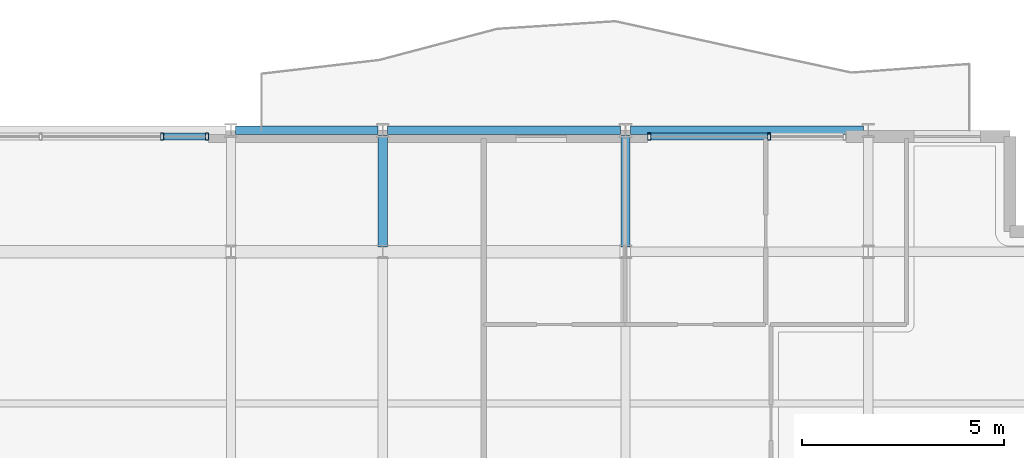
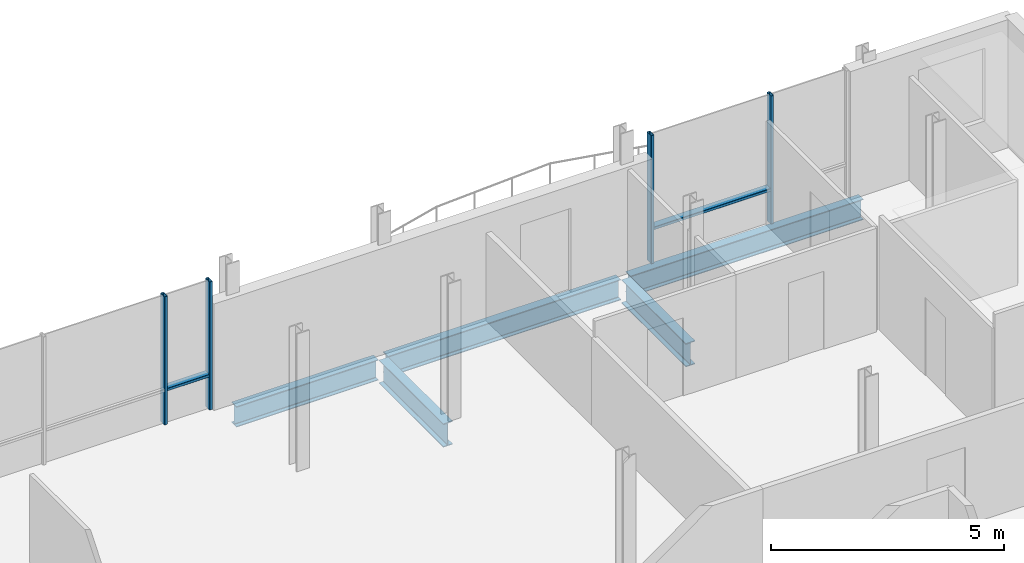
# One storey, part 7 of 18: 6 members, 5 beams, 2 elements without a shape of their own.
"""IFC4 building model written with IfcOpenShell, lengths in metres."""

import ifcopenshell
import ifcopenshell.guid

model = None  # the IFC model being written
_history = None  # IfcOwnerHistory: only IFC2X3 demands one
_inside = {}  # id of a spatial element -> (the spatial element, [elements in it])
_under = {}  # id of a project, library or spatial element -> (it, [spatial elements below it])
_declared = {}  # id of a project -> (the project, [libraries it declares])
_typed = {}  # id of a type object -> (the type object, [elements of that type])
_made_of = {}  # id of a material, layer set ... -> (it, [elements and type objects made of it])


def new_model(schema):
    """Start an empty IFC model of exactly this schema.

    Asked for "IFC4X3", IfcOpenShell would pick the latest addendum, in which some entities
    have other attributes; the version numbers below select the first issue.
    IFC2X3 requires an IfcOwnerHistory on every rooted entity: one is made here for all.
    """
    global model, _history
    if schema == "IFC4X3":
        model = ifcopenshell.file(schema_version=(4, 3, 0, 0))
    else:
        model = ifcopenshell.file(schema=schema)
    _inside.clear()
    _under.clear()
    _declared.clear()
    _typed.clear()
    _made_of.clear()
    _history = None
    if model.schema == "IFC2X3":
        org = make("IfcOrganization", Name="unknown")
        user = make(
            "IfcPersonAndOrganization",
            ThePerson=make("IfcPerson", FamilyName="unknown"),
            TheOrganization=org,
        )
        app = make(
            "IfcApplication",
            ApplicationDeveloper=org,
            Version="unknown",
            ApplicationFullName="unknown",
            ApplicationIdentifier="unknown",
        )
        _history = make(
            "IfcOwnerHistory",
            OwningUser=user,
            OwningApplication=app,
            ChangeAction="ADDED",
            CreationDate=0,
        )
    return model


def make(cls, **values):
    """One entity of the class cls with the attributes given. An attribute that is None is left unset."""
    return model.create_entity(
        cls, **{name: value for name, value in values.items() if value is not None}
    )


def rooted(cls, **values):
    """An entity with a GlobalId (a new one), such as an element, a storey or a relation."""
    return make(cls, GlobalId=ifcopenshell.guid.new(), OwnerHistory=_history, **values)


def si_unit(unit_type, name, prefix=None):
    """IfcSIUnit, for example si_unit("LENGTHUNIT", "METRE", prefix="MILLI")."""
    return make("IfcSIUnit", UnitType=unit_type, Prefix=prefix, Name=name)


def assignment(units):
    """IfcUnitAssignment: the units of a project."""
    return None if units is None else make("IfcUnitAssignment", Units=units)


def point(xyz):
    """IfcCartesianPoint."""
    return None if xyz is None else make("IfcCartesianPoint", Coordinates=xyz)


def direction(xyz):
    """IfcDirection."""
    return None if xyz is None else make("IfcDirection", DirectionRatios=xyz)


def frame(location, z_axis=None, x_axis=None):
    """IfcAxis2Placement3D, a coordinate frame: its origin and axes. An axis left out is left unset."""
    return make(
        "IfcAxis2Placement3D",
        Location=point(location),
        Axis=direction(z_axis),
        RefDirection=direction(x_axis),
    )


def frame_2d(location, x_axis=None):
    """IfcAxis2Placement2D, a coordinate frame in the plane: its origin and x axis."""
    return make(
        "IfcAxis2Placement2D", Location=point(location), RefDirection=direction(x_axis)
    )


def origin():
    """The frame at (0, 0, 0) with its axes left unset."""
    return frame((0.0, 0.0, 0.0))


def origin_2d():
    """The frame at (0, 0) in the plane with its x axis left unset."""
    return frame_2d((0.0, 0.0))


def place(relative_to, where):
    """IfcLocalPlacement: puts the frame where relative to a parent placement (None: the world)."""
    return make(
        "IfcLocalPlacement", PlacementRelTo=relative_to, RelativePlacement=where
    )


def context(
    kind, dimensions, precision=None, world=None, true_north=None, identifier=None
):
    """IfcGeometricRepresentationContext, for example the 3D "Model" context."""
    return make(
        "IfcGeometricRepresentationContext",
        ContextIdentifier=identifier,
        ContextType=kind,
        CoordinateSpaceDimension=dimensions,
        Precision=precision,
        WorldCoordinateSystem=world,
        TrueNorth=true_north,
    )


def subcontext(parent, identifier, kind, view, scale=None):
    """IfcGeometricRepresentationSubContext, for example "Body" below "Model"."""
    return make(
        "IfcGeometricRepresentationSubContext",
        ContextIdentifier=identifier,
        ContextType=kind,
        ParentContext=parent,
        TargetScale=scale,
        TargetView=view,
    )


def project(units=None, contexts=None):
    """IfcProject with its units and contexts."""
    return rooted(
        "IfcProject",
        Name="project",
        RepresentationContexts=contexts,
        UnitsInContext=assignment(units),
    )


def spatial(cls, under=None, at=None, **own):
    """A site, building, storey or space (cls), placed at a placement, below another one or the project."""
    s = rooted(cls, ObjectPlacement=at, **own)
    if under is not None:
        _under.setdefault(under.id(), (under, []))[1].append(s)
    return s


def profile(cls, at=None, kind="AREA", **sizes):
    """A parametric profile (cls). Its sizes go by their IFC names, for example OverallWidth=200.0."""
    return make(cls, ProfileType=kind, Position=at, **sizes)


def hollow_rectangle(**sizes):
    """IfcRectangleHollowProfileDef."""
    return profile("IfcRectangleHollowProfileDef", **sizes)


def i_section(**sizes):
    """IfcIShapeProfileDef."""
    return profile("IfcIShapeProfileDef", **sizes)


def extrude(swept, where, along, depth):
    """IfcExtrudedAreaSolid: the profile swept, set in the frame where, extruded along a direction by depth."""
    return make(
        "IfcExtrudedAreaSolid",
        SweptArea=swept,
        Position=where,
        ExtrudedDirection=direction(along),
        Depth=depth,
    )


def shape(context_of_items, identifier, shape_type, items):
    """IfcShapeRepresentation: the items that make up one representation, for example the "Body"."""
    return make(
        "IfcShapeRepresentation",
        ContextOfItems=context_of_items,
        RepresentationIdentifier=identifier,
        RepresentationType=shape_type,
        Items=items,
    )


def material(Name=None, Category=None):
    """IfcMaterial."""
    return make("IfcMaterial", Name=Name, Category=Category)


def layer(
    of_material, thickness, ventilated=None, Name=None, Category=None, Priority=None
):
    """IfcMaterialLayer: one layer of a wall or slab, of a material (None: an air gap)."""
    return make(
        "IfcMaterialLayer",
        Material=of_material,
        LayerThickness=thickness,
        IsVentilated=ventilated,
        Name=Name,
        Category=Category,
        Priority=Priority,
    )


def layer_set(layers, Name=None):
    """IfcMaterialLayerSet."""
    return make("IfcMaterialLayerSet", MaterialLayers=layers, LayerSetName=Name)


def material_profile(
    of_material, cross_section, Name=None, Category=None, Priority=None
):
    """IfcMaterialProfile: a cross section and its material."""
    return make(
        "IfcMaterialProfile",
        Name=Name,
        Material=of_material,
        Profile=cross_section,
        Priority=Priority,
        Category=Category,
    )


def profile_set(profiles, Name=None, composite=None):
    """IfcMaterialProfileSet."""
    return make(
        "IfcMaterialProfileSet",
        Name=Name,
        MaterialProfiles=profiles,
        CompositeProfile=composite,
    )


def made_of(thing, what):
    """Note that an element or type object is made of a material, layer set ...; save() writes the relation."""
    if what is not None:
        _made_of.setdefault(what.id(), (what, []))[1].append(thing)
    return thing


def type_object(cls, material=None, **own):
    """A type object (cls), such as IfcWallType, which elements share."""
    return made_of(rooted(cls, **own), material)


def element(
    cls,
    number,
    at=None,
    inside=None,
    cuts=None,
    type_object=None,
    material=None,
    context=None,
    identifier="Body",
    shape_type=None,
    held_by="IfcProductDefinitionShape",
    body=None,
    shapes=None,
    **own,
):
    """One element of the class cls, such as IfcWall. Its Tag is "e" and its number.

    at: its placement. inside: the storey or other place that contains it. cuts: it is an
    opening in that element (IfcRelVoidsElement). A single representation is given by context,
    identifier, shape_type and body (its items); several are given by shapes. held_by: the class
    of the entity that holds the representations. save() writes the other relations.
    """
    e = rooted(cls, Tag="e%d" % number, ObjectPlacement=at, **own)
    if body is not None:
        shapes = [shape(context, identifier, shape_type, body)]
    if shapes is not None:
        e.Representation = make(held_by, Representations=shapes)
    if inside is not None:
        _inside.setdefault(inside.id(), (inside, []))[1].append(e)
    if cuts is not None:
        rooted(
            "IfcRelVoidsElement", RelatingBuildingElement=cuts, RelatedOpeningElement=e
        )
    if type_object is not None:
        _typed.setdefault(type_object.id(), (type_object, []))[1].append(e)
    return made_of(e, material)


def aggregate(whole, parts):
    """IfcRelAggregates: a whole, such as a stair, and the parts it consists of."""
    return rooted("IfcRelAggregates", RelatingObject=whole, RelatedObjects=parts)


def save(model, path):
    """Write the relations noted so far, then the file.

    IfcRelAggregates (storeys below a building ...), IfcRelContainedInSpatialStructure (elements
    in a storey), IfcRelDefinesByType, IfcRelAssociatesMaterial and IfcRelDeclares: one each for
    every whole, place, type object, material and project.
    """
    for whole, parts in _under.values():
        aggregate(whole, parts)
    for where, things in _inside.values():
        rooted(
            "IfcRelContainedInSpatialStructure",
            RelatedElements=things,
            RelatingStructure=where,
        )
    for kind, things in _typed.values():
        rooted("IfcRelDefinesByType", RelatedObjects=things, RelatingType=kind)
    for what, things in _made_of.values():
        rooted("IfcRelAssociatesMaterial", RelatedObjects=things, RelatingMaterial=what)
    for by, libraries in _declared.values():
        rooted("IfcRelDeclares", RelatingContext=by, RelatedDefinitions=libraries)
    model.write(path)


model = new_model("IFC4")

# Units and contexts
model_context = context("Model", 3, precision=1e-05, world=origin(), true_north=direction((0.0, 1.0)))
body_context = subcontext(model_context, "Body", "Model", "MODEL_VIEW")
ifc_project = project(units=[si_unit("LENGTHUNIT", "METRE"), si_unit("AREAUNIT", "SQUARE_METRE"), si_unit("VOLUMEUNIT", "CUBIC_METRE"), si_unit("PLANEANGLEUNIT", "RADIAN"), si_unit("MASSUNIT", "GRAM", prefix="KILO")], contexts=[model_context])

# Site, building, storey
site_placement = place(None, origin())
site = spatial("IfcSite", under=ifc_project, at=site_placement, CompositionType="ELEMENT")
building_placement = place(site_placement, origin())
building = spatial("IfcBuilding", under=site, at=building_placement, Name="Brevholm Reach", CompositionType="ELEMENT")
storey_placement = place(building_placement, frame((0.0, 0.0, 240.050048828125)))
storey = spatial("IfcBuildingStorey", under=building, at=storey_placement, Name="L73", CompositionType="ELEMENT", Elevation=240.050048828125)

# Beams
ifc_material_1 = material(Name="Structural Steel S355J2", Category="steel")
ifc_material_profile_1 = material_profile(ifc_material_1, i_section(OverallWidth=0.210693359375, OverallDepth=0.53955078125, WebThickness=0.01171875, FlangeThickness=0.018798828125, FilletRadius=0.0126953125, at=origin_2d()), Name="UKB 533x210x109")
ifc_profile_set_1 = profile_set([ifc_material_profile_1], Name="Structural Steel S355J2")
beam_type_1 = type_object("IfcBeamType", Name="BM-SP539", PredefinedType="SPANDREL", material=ifc_profile_set_1)
beam_placement = place(storey_placement, frame((38.3701171875, 26.5, -0.519775390625), z_axis=(1.0, 0.0, 0.0), x_axis=(0.0, 1.0, 0.0)))
element("IfcBeam", 1, at=beam_placement, inside=storey, type_object=beam_type_1, Name="L73 SP-01B Framing Beam", PredefinedType="SPANDREL", context=body_context, shape_type="SweptSolid", body=[
    extrude(i_section(OverallWidth=0.210693359375, OverallDepth=0.53955078125, WebThickness=0.01171875, FlangeThickness=0.018798828125, FilletRadius=0.0126953125, at=origin_2d()), origin(), (0.0, 0.0, 1.0), 3.509765625),
])
for number, where, z_axis, x_axis, name in (
    (2, (42.1201171875, 26.5, -0.519775390625), (1.0, 0.0, 0.0), (0.0, 1.0, 0.0), "L73 SP-01B Framing Beam"),
    (3, (48.1201171875, 26.5, -0.519775390625), (1.0, 0.0, 0.0), (0.0, 1.0, 0.0), "L73 SP-01B Framing Beam"),
):
    element("IfcBeam", number, at=place(storey_placement, frame(where, z_axis=z_axis, x_axis=x_axis)), inside=storey, type_object=beam_type_1, Name=name, PredefinedType="SPANDREL", context=body_context, shape_type="SweptSolid", body=[
        extrude(i_section(OverallWidth=0.210693359375, OverallDepth=0.53955078125, WebThickness=0.01171875, FlangeThickness=0.018798828125, FilletRadius=0.0126953125, at=origin_2d()), origin(), (0.0, 0.0, 1.0), 5.759765625),
    ])
ifc_material_2 = material(Name="Structural Steel S355J2", Category="steel")
ifc_material_profile_2 = material_profile(ifc_material_2, i_section(OverallWidth=0.22900390625, OverallDepth=0.6123046875, WebThickness=0.011962890625, FlangeThickness=0.01953125, FilletRadius=0.0126953125, at=origin_2d()), Name="UKB 610x229x125")
ifc_profile_set_2 = profile_set([ifc_material_profile_2], Name="Structural Steel S355J2")
beam_type_2 = type_object("IfcBeamType", Name="BM-SP610", PredefinedType="SPANDREL", material=ifc_profile_set_2)
for number, where, z_axis, x_axis, name in (
    (4, (42.0, 23.6201171875, -0.55615234375), (0.0, 1.0, 0.0), (-1.0, 0.0, 0.0), "L73 SP-01 Framing Beam"),
    (5, (48.0, 23.6201171875, -0.55615234375), (0.0, 1.0, 0.0), (-1.0, 0.0, 0.0), "L73 SP-01 Framing Beam"),
):
    element("IfcBeam", number, at=place(storey_placement, frame(where, z_axis=z_axis, x_axis=x_axis)), inside=storey, type_object=beam_type_2, Name=name, PredefinedType="SPANDREL", context=body_context, shape_type="SweptSolid", body=[
        extrude(i_section(OverallWidth=0.22900390625, OverallDepth=0.6123046875, WebThickness=0.011962890625, FlangeThickness=0.01953125, FilletRadius=0.0126953125, at=origin_2d()), origin(), (0.0, 0.0, 1.0), 2.759765625),
    ])

# Curtain wall, members
ifc_material_3 = material(Name="Dark Anodised Aluminium 6063-T6 and Solar-Control Glass", Category="aluminium")
ifc_layer = layer(ifc_material_3, 0.179931640625)
ifc_layer_set = layer_set([ifc_layer], Name="Dark Anodised Aluminium 6063-T6 and Solar-Control Glass")
curtain_wall_type = type_object("IfcCurtainWallType", Name="CW-05", PredefinedType="NOTDEFINED", material=ifc_layer_set)
curtain_wall_1_placement = place(storey_placement, origin())
curtain_wall_1 = element("IfcCurtainWall", 6, at=curtain_wall_1_placement, inside=storey, type_object=curtain_wall_type, Name="L73 Curtain Wall CW-05", PredefinedType="NOTDEFINED")
ifc_material_4 = material(Name="Dark Anodised Aluminium 6063-T6", Category="aluminium")
ifc_material_profile_3 = material_profile(ifc_material_4, hollow_rectangle(XDim=0.074951171875, YDim=0.179931640625, WallThickness=0.006103515625, InnerFilletRadius=0.006103515625, OuterFilletRadius=0.011962890625, at=origin_2d()), Name="RHS 180x75x6")
ifc_profile_set_3 = profile_set([ifc_material_profile_3], Name="Dark Anodised Aluminium 6063-T6")
member_type_1 = type_object("IfcMemberType", Name="CWM-180", PredefinedType="MULLION", material=ifc_profile_set_3)
member_1_placement = place(storey_placement, frame((36.550048828125, 26.35009765625, 0.0), z_axis=(0.0, 0.0, 1.0), x_axis=(1.0, 0.0, 0.0)))
member_1 = element("IfcMember", 7, at=member_1_placement, type_object=member_type_1, Name="CM-180 Mullion 3", PredefinedType="MULLION", context=body_context, shape_type="SweptSolid", body=[
    extrude(hollow_rectangle(XDim=0.074951171875, YDim=0.179931640625, WallThickness=0.006103515625, InnerFilletRadius=0.006103515625, OuterFilletRadius=0.011962890625, at=origin_2d()), origin(), (0.0, 0.0, 1.0), 3.349853515625),
])
member_2_placement = place(storey_placement, frame((37.66259765625, 26.35009765625, 0.0), z_axis=(0.0, 0.0, 1.0), x_axis=(1.0, 0.0, 0.0)))
member_2 = element("IfcMember", 8, at=member_2_placement, type_object=member_type_1, Name="CM-180 Mullion 4", PredefinedType="MULLION", context=body_context, shape_type="SweptSolid", body=[
    extrude(hollow_rectangle(XDim=0.074951171875, YDim=0.179931640625, WallThickness=0.006103515625, InnerFilletRadius=0.006103515625, OuterFilletRadius=0.011962890625, at=origin_2d()), origin(), (0.0, 0.0, 1.0), 3.349853515625),
])

curtain_wall_2_placement = place(storey_placement, origin())
curtain_wall_2 = element("IfcCurtainWall", 9, at=curtain_wall_2_placement, inside=storey, type_object=curtain_wall_type, Name="L73 Curtain Wall CW-05", PredefinedType="NOTDEFINED")
member_3_placement = place(storey_placement, frame((48.58740234375, 26.35009765625, 0.0), z_axis=(0.0, 0.0, 1.0), x_axis=(1.0, 0.0, 0.0)))
member_3 = element("IfcMember", 10, at=member_3_placement, type_object=member_type_1, Name="CM-180 Mullion 1", PredefinedType="MULLION", context=body_context, shape_type="SweptSolid", body=[
    extrude(hollow_rectangle(XDim=0.074951171875, YDim=0.179931640625, WallThickness=0.006103515625, InnerFilletRadius=0.006103515625, OuterFilletRadius=0.011962890625, at=origin_2d()), origin(), (0.0, 0.0, 1.0), 3.349853515625),
])
member_4_placement = place(storey_placement, frame((51.550048828125, 26.35009765625, 0.0), z_axis=(0.0, 0.0, 1.0), x_axis=(1.0, 0.0, 0.0)))
member_4 = element("IfcMember", 11, at=member_4_placement, type_object=member_type_1, Name="CM-180 Mullion 2", PredefinedType="MULLION", context=body_context, shape_type="SweptSolid", body=[
    extrude(hollow_rectangle(XDim=0.074951171875, YDim=0.179931640625, WallThickness=0.006103515625, InnerFilletRadius=0.006103515625, OuterFilletRadius=0.011962890625, at=origin_2d()), origin(), (0.0, 0.0, 1.0), 3.349853515625),
])

# Member
ifc_material_5 = material(Name="Dark Anodised Aluminium 6063-T6", Category="aluminium")
ifc_material_profile_4 = material_profile(ifc_material_5, hollow_rectangle(XDim=0.074951171875, YDim=0.179931640625, WallThickness=0.006103515625, InnerFilletRadius=0.006103515625, OuterFilletRadius=0.011962890625, at=origin_2d()), Name="RHS 180x75x6")
ifc_profile_set_4 = profile_set([ifc_material_profile_4], Name="Dark Anodised Aluminium 6063-T6")
member_type_2 = type_object("IfcMemberType", Name="CWT-180", PredefinedType="NOTDEFINED", material=ifc_profile_set_4)
member_5_placement = place(storey_placement, frame((36.58740234375, 26.35009765625, 0.89990234375), z_axis=(1.0, 0.0, 0.0), x_axis=(0.0, 0.0, 1.0)))
member_5 = element("IfcMember", 12, at=member_5_placement, type_object=member_type_2, Name="CT-180 Transom 3.1", ObjectType="TRANSOM", PredefinedType="USERDEFINED", context=body_context, shape_type="SweptSolid", body=[
    extrude(hollow_rectangle(XDim=0.074951171875, YDim=0.179931640625, WallThickness=0.006103515625, InnerFilletRadius=0.006103515625, OuterFilletRadius=0.011962890625, at=origin_2d()), origin(), (0.0, 0.0, 1.0), 1.03759765625),
])

aggregate(curtain_wall_1, [member_1, member_2, member_5])

member_6_placement = place(storey_placement, frame((48.625, 26.35009765625, 0.89990234375), z_axis=(1.0, 0.0, 0.0), x_axis=(0.0, 0.0, 1.0)))
member_6 = element("IfcMember", 13, at=member_6_placement, type_object=member_type_2, Name="CT-180 Transom 1.1", ObjectType="TRANSOM", PredefinedType="USERDEFINED", context=body_context, shape_type="SweptSolid", body=[
    extrude(hollow_rectangle(XDim=0.074951171875, YDim=0.179931640625, WallThickness=0.006103515625, InnerFilletRadius=0.006103515625, OuterFilletRadius=0.011962890625, at=origin_2d()), origin(), (0.0, 0.0, 1.0), 2.887451171875),
])

aggregate(curtain_wall_2, [member_3, member_4, member_6])

save(model, "model.ifc")
